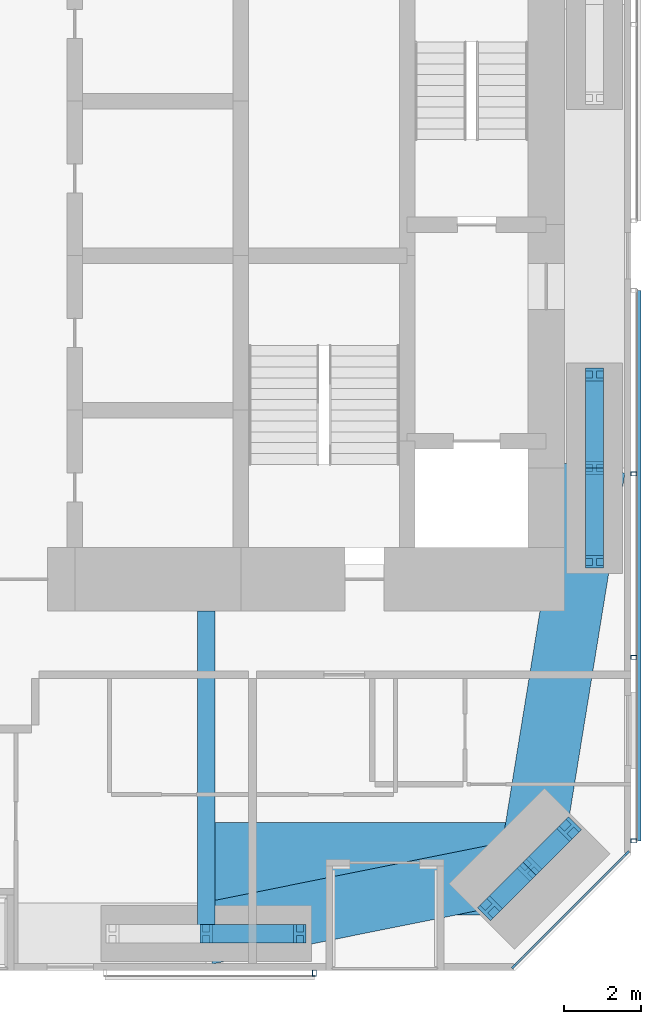
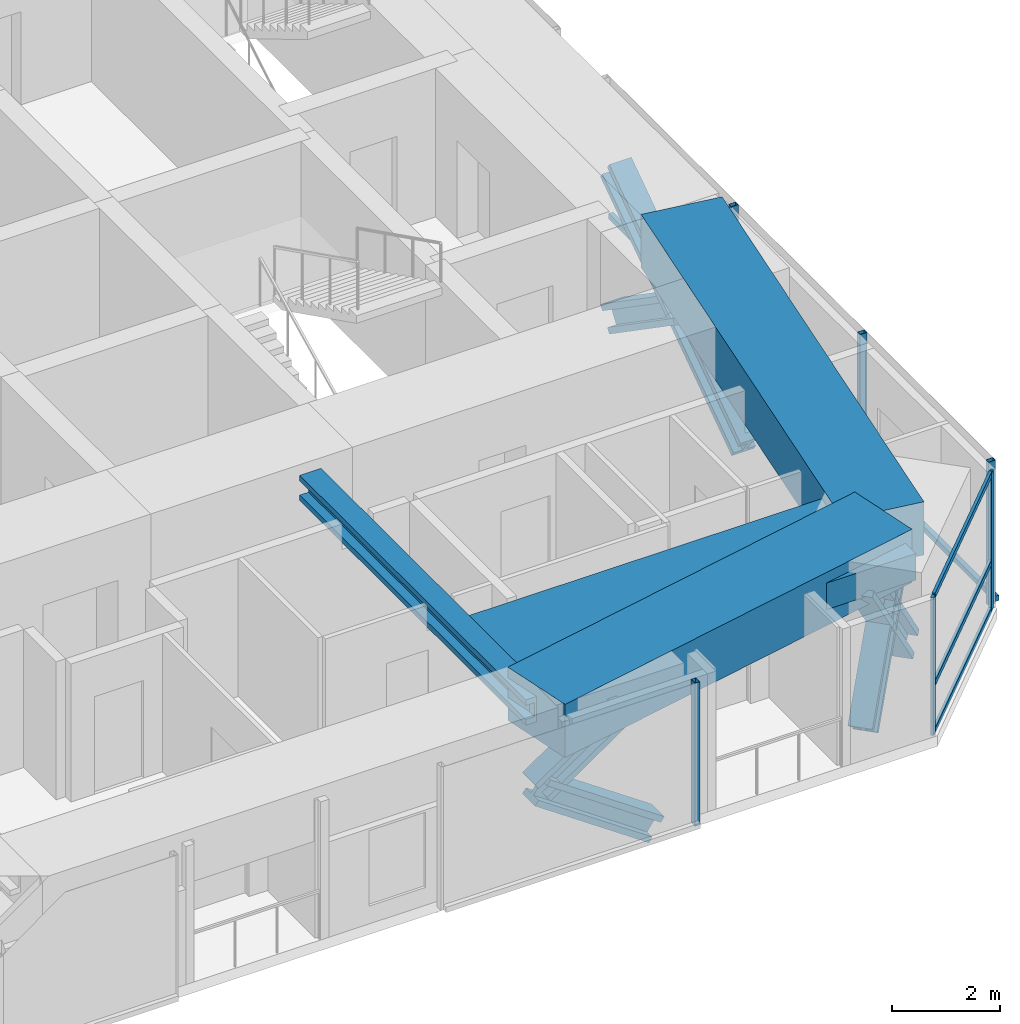
# One storey, part 8 of 23: 20 members, 4 beams, 3 elements without a shape of their own.
"""IFC4 building model written with IfcOpenShell, lengths in metres."""

from ifc_helpers import new_model, si_unit, direction, frame, origin, origin_2d, place, context, subcontext, project, spatial, rectangle, hollow_rectangle, i_section, extrude, material, material_profile, profile_set, type_object, element, aggregate, save


model = new_model("IFC4")

# Units and contexts
model_context = context("Model", 3, precision=1e-05, world=origin(), true_north=direction((0.0, 1.0)))
body_context = subcontext(model_context, "Body", "Model", "MODEL_VIEW")
ifc_project = project(units=[si_unit("LENGTHUNIT", "METRE"), si_unit("AREAUNIT", "SQUARE_METRE"), si_unit("VOLUMEUNIT", "CUBIC_METRE"), si_unit("PLANEANGLEUNIT", "RADIAN"), si_unit("MASSUNIT", "GRAM", prefix="KILO")], contexts=[model_context])

# Site, building, storey
site_placement = place(None, origin())
site = spatial("IfcSite", under=ifc_project, at=site_placement, CompositionType="ELEMENT")
building_placement = place(site_placement, origin())
building = spatial("IfcBuilding", under=site, at=building_placement, Name="Jalousie Tower", CompositionType="ELEMENT")
storey_placement = place(building_placement, frame((0.0, 0.0, 41.10009765625)))
storey = spatial("IfcBuildingStorey", under=building, at=storey_placement, Name="L10", CompositionType="ELEMENT", Elevation=41.10009765625)

# Curtain wall, members
ifc_material_1 = material(Name="Aluminium curtain wall", Category="aluminium")
curtain_wall_type_1 = type_object("IfcCurtainWallType", Name="CORNER WINDOW WALL", PredefinedType="USERDEFINED", material=ifc_material_1)
curtain_wall_1_placement = place(storey_placement, origin())
curtain_wall_1 = element("IfcCurtainWall", 1, at=curtain_wall_1_placement, inside=storey, type_object=curtain_wall_type_1, Name="Corner Window Wall L10 2", ObjectType="CORNER WINDOW WALL", PredefinedType="USERDEFINED")
ifc_material_2 = material(Name="Aluminium mullion", Category="aluminium")
ifc_material_profile_1 = material_profile(ifc_material_2, rectangle(XDim=0.06005859375, YDim=0.14990234375, at=origin_2d()), Name="MULLION 60x150")
ifc_profile_set_1 = profile_set([ifc_material_profile_1], Name="Aluminium mullion")
member_type_1 = type_object("IfcMemberType", Name="CORNER WINDOW WALL MULLION", PredefinedType="MULLION", material=ifc_profile_set_1)
member_1_placement = place(storey_placement, frame((42.969970703125, 0.108642578125, 0.0), z_axis=(0.0, 0.0, 1.0), x_axis=(-0.707106781187, 0.707106781187, 0.0)))
member_1 = element("IfcMember", 2, at=member_1_placement, type_object=member_type_1, Name="CW-C mullion 1", PredefinedType="MULLION", context=body_context, shape_type="SweptSolid", body=[
    extrude(rectangle(XDim=0.06005859375, YDim=0.14990234375, at=origin_2d()), origin(), (0.0, 0.0, 1.0), 3.10986328125),
])
member_2_placement = place(storey_placement, frame((45.891357421875, 3.030029296875, 0.0), z_axis=(0.0, 0.0, 1.0), x_axis=(-0.707106781187, 0.707106781187, 0.0)))
member_2 = element("IfcMember", 3, at=member_2_placement, type_object=member_type_1, Name="CW-C mullion 2", PredefinedType="MULLION", context=body_context, shape_type="SweptSolid", body=[
    extrude(rectangle(XDim=0.06005859375, YDim=0.14990234375, at=origin_2d()), origin(), (0.0, 0.0, 1.0), 3.10986328125),
])
ifc_material_3 = material(Name="Aluminium transom", Category="aluminium")
ifc_material_profile_2 = material_profile(ifc_material_3, rectangle(XDim=0.06005859375, YDim=0.1201171875, at=origin_2d()), Name="TRANSOM 60x120")
ifc_profile_set_2 = profile_set([ifc_material_profile_2], Name="Aluminium transom")
member_type_2 = type_object("IfcMemberType", Name="CORNER WINDOW WALL TRANSOM", PredefinedType="USERDEFINED", material=ifc_profile_set_2)
member_3_placement = place(storey_placement, frame((42.9912109375, 0.1298828125, 0.02978515625), z_axis=(0.707106781187, 0.707106781187, 0.0), x_axis=(-0.707106781187, 0.707106781187, 0.0)))
member_3 = element("IfcMember", 4, at=member_3_placement, type_object=member_type_2, Name="CW-C transom 1.1", ObjectType="TRANSOM", PredefinedType="USERDEFINED", context=body_context, shape_type="SweptSolid", body=[
    extrude(rectangle(XDim=0.06005859375, YDim=0.1201171875, at=origin_2d()), origin(), (0.0, 0.0, 1.0), 4.0712890625),
])
member_4_placement = place(storey_placement, frame((42.9912109375, 0.1298828125, 1.099853515625), z_axis=(0.707106781187, 0.707106781187, 0.0), x_axis=(-0.707106781187, 0.707106781187, 0.0)))
member_4 = element("IfcMember", 5, at=member_4_placement, type_object=member_type_2, Name="CW-C transom 1.2", ObjectType="TRANSOM", PredefinedType="USERDEFINED", context=body_context, shape_type="SweptSolid", body=[
    extrude(rectangle(XDim=0.06005859375, YDim=0.1201171875, at=origin_2d()), origin(), (0.0, 0.0, 1.0), 4.0712890625),
])
member_5_placement = place(storey_placement, frame((42.9912109375, 0.1298828125, 3.079833984375), z_axis=(0.707106781187, 0.707106781187, 0.0), x_axis=(-0.707106781187, 0.707106781187, 0.0)))
member_5 = element("IfcMember", 6, at=member_5_placement, type_object=member_type_2, Name="CW-C transom 1.3", ObjectType="TRANSOM", PredefinedType="USERDEFINED", context=body_context, shape_type="SweptSolid", body=[
    extrude(rectangle(XDim=0.06005859375, YDim=0.1201171875, at=origin_2d()), origin(), (0.0, 0.0, 1.0), 4.0712890625),
])
aggregate(curtain_wall_1, [member_1, member_2, member_3, member_4, member_5])

# Beam
ifc_material_4 = material(Name="Steel ASTM A992 Grade 50", Category="steel")
ifc_material_profile_3 = material_profile(ifc_material_4, i_section(OverallWidth=0.45458984375, OverallDepth=0.569091796875, WebThickness=0.077880859375, FlangeThickness=0.124755859375, at=origin_2d()), Name="W14X730")
ifc_profile_set_3 = profile_set([ifc_material_profile_3], Name="Steel ASTM A992 Grade 50")
beam_type_1 = type_object("IfcBeamType", Name="LEAN COLLECTOR W14X730", PredefinedType="BEAM", material=ifc_profile_set_3)
beam_1_placement = place(storey_placement, frame((35.0, 0.949951171875, 2.825439453125), z_axis=(0.0, 1.0, 0.0), x_axis=(-1.0, 0.0, 0.0)))
element("IfcBeam", 7, at=beam_1_placement, inside=storey, type_object=beam_type_1, Name="Lean collector under L11", PredefinedType="BEAM", context=body_context, shape_type="SweptSolid", body=[
    extrude(i_section(OverallWidth=0.45458984375, OverallDepth=0.569091796875, WebThickness=0.077880859375, FlangeThickness=0.124755859375, at=origin_2d()), origin(), (0.0, 0.0, 1.0), 8.35009765625),
])

# Members
ifc_material_5 = material(Name="Steel ASTM A992 Grade 50", Category="steel")
ifc_material_profile_4 = material_profile(ifc_material_5, i_section(OverallWidth=0.472412109375, OverallDepth=0.5791015625, WebThickness=0.094970703125, FlangeThickness=0.1298828125, at=origin_2d()), Name="W14X808")
ifc_profile_set_4 = profile_set([ifc_material_profile_4], Name="Steel ASTM A992 Grade 50")
member_type_3 = type_object("IfcMemberType", Name="PERIMETER BRACE W14X808", PredefinedType="BRACE", material=ifc_profile_set_4)
for number, where, z_axis, x_axis, name in (
    (8, (35.0, 0.949951171875, 1.074951171875), (0.822800062329, 0.0, 0.568330940062), (0.0, 1.0, 0.0), "Perimeter brace 04 L10 part 2"),
    (9, (37.425048828125, 0.949951171875, -0.60009765625), (-0.822800062329, 0.0, 0.568330940062), (0.0, -1.0, 0.0), "Perimeter brace 04 L10 part 3"),
):
    element("IfcMember", number, at=place(storey_placement, frame(where, z_axis=z_axis, x_axis=x_axis)), inside=storey, type_object=member_type_3, Name=name, PredefinedType="BRACE", context=body_context, shape_type="SweptSolid", body=[
        extrude(i_section(OverallWidth=0.472412109375, OverallDepth=0.5791015625, WebThickness=0.094970703125, FlangeThickness=0.1298828125, at=origin_2d()), origin(), (0.0, 0.0, 1.0), 2.947265625),
    ])
for number, where, z_axis, x_axis, name in (
    (10, (42.34326171875, 1.606201171875, -0.60009765625), (0.462839993852, 0.462729793854, 0.756082189957), (-0.707022586774, 0.707190965575, 0.0), "Perimeter brace 05 L10 part 1"),
    (11, (43.36865234375, 2.63134765625, 1.074951171875), (0.462729793854, 0.462839993852, 0.756082189957), (-0.707190965575, 0.707022586774, 0.0), "Perimeter brace 05 L10 part 2"),
    (12, (44.393798828125, 3.65673828125, -0.60009765625), (-0.462729793854, -0.462839993852, 0.756082189957), (0.707190965575, -0.707022586774, 0.0), "Perimeter brace 05 L10 part 3"),
    (13, (43.36865234375, 2.63134765625, 1.074951171875), (-0.462839993852, -0.462729793854, 0.756082189957), (0.707022586774, -0.707190965575, 0.0), "Perimeter brace 05 L10 part 4"),
):
    element("IfcMember", number, at=place(storey_placement, frame(where, z_axis=z_axis, x_axis=x_axis)), inside=storey, type_object=member_type_3, Name=name, PredefinedType="BRACE", context=body_context, shape_type="SweptSolid", body=[
        extrude(i_section(OverallWidth=0.472412109375, OverallDepth=0.5791015625, WebThickness=0.094970703125, FlangeThickness=0.1298828125, at=origin_2d()), origin(), (0.0, 0.0, 1.0), 2.21533203125),
    ])
for number, where, z_axis, x_axis, name in (
    (14, (45.050048828125, 10.574951171875, -0.60009765625), (0.0, 0.822800062329, 0.568330940062), (-1.0, 0.0, 0.0), "Perimeter brace 06 L10 part 1"),
    (15, (45.050048828125, 13.0, 1.074951171875), (0.0, 0.822800062329, 0.568330940062), (-1.0, 0.0, 0.0), "Perimeter brace 06 L10 part 2"),
    (16, (45.050048828125, 15.425048828125, -0.60009765625), (0.0, -0.822800062329, 0.568330940062), (1.0, 0.0, 0.0), "Perimeter brace 06 L10 part 3"),
    (17, (45.050048828125, 13.0, 1.074951171875), (0.0, -0.822800062329, 0.568330940062), (1.0, 0.0, 0.0), "Perimeter brace 06 L10 part 4"),
):
    element("IfcMember", number, at=place(storey_placement, frame(where, z_axis=z_axis, x_axis=x_axis)), inside=storey, type_object=member_type_3, Name=name, PredefinedType="BRACE", context=body_context, shape_type="SweptSolid", body=[
        extrude(i_section(OverallWidth=0.472412109375, OverallDepth=0.5791015625, WebThickness=0.094970703125, FlangeThickness=0.1298828125, at=origin_2d()), origin(), (0.0, 0.0, 1.0), 2.947265625),
    ])

# Beams
ifc_material_6 = material(Name="Concrete f'c 40 MPa", Category="concrete")
ifc_material_profile_5 = material_profile(ifc_material_6, rectangle(XDim=1.60009765625, YDim=1.199951171875, at=origin_2d()), Name="RC 1600x1200")
ifc_profile_set_5 = profile_set([ifc_material_profile_5], Name="Concrete f'c 40 MPa")
beam_type_2 = type_object("IfcBeamType", Name="RC BEAM 1600x1200", PredefinedType="BEAM", material=ifc_profile_set_5)
beam_2_placement = place(storey_placement, frame((35.0, 0.949951171875, 2.75), z_axis=(0.980407585444, 0.196979609107, 0.0), x_axis=(-0.196979609107, 0.980407585444, 0.0)))
element("IfcBeam", 18, at=beam_2_placement, inside=storey, type_object=beam_type_2, Name="Edge band beam 04-05 under L11", PredefinedType="BEAM", context=body_context, shape_type="SweptSolid", body=[
    extrude(rectangle(XDim=1.60009765625, YDim=1.199951171875, at=origin_2d()), origin(), (0.0, 0.0, 1.0), 8.535888671875),
])
beam_3_placement = place(storey_placement, frame((43.36865234375, 2.63134765625, 2.75), z_axis=(0.160070546476, 0.987105577003, 0.0), x_axis=(-0.987105577003, 0.160070546476, 0.0)))
element("IfcBeam", 19, at=beam_3_placement, inside=storey, type_object=beam_type_2, Name="Edge band beam 05-06 under L11", PredefinedType="BEAM", context=body_context, shape_type="SweptSolid", body=[
    extrude(rectangle(XDim=1.60009765625, YDim=1.199951171875, at=origin_2d()), origin(), (0.0, 0.0, 1.0), 10.504150390625),
])
ifc_material_7 = material(Name="Concrete f'c 40 MPa", Category="concrete")
ifc_material_profile_6 = material_profile(ifc_material_7, rectangle(XDim=2.39990234375, YDim=0.60009765625, at=origin_2d()), Name="RC 2400x600")
ifc_profile_set_6 = profile_set([ifc_material_profile_6], Name="Concrete f'c 40 MPa")
beam_type_3 = type_object("IfcBeamType", Name="RC BEAM 2400x600", PredefinedType="BEAM", material=ifc_profile_set_6)
beam_4_placement = place(storey_placement, frame((43.36865234375, 2.63134765625, 2.809814453125), z_axis=(-1.0, 0.0, 0.0), x_axis=(0.0, -1.0, 0.0)))
element("IfcBeam", 20, at=beam_4_placement, inside=storey, type_object=beam_type_3, Name="Floor band beam under L11", PredefinedType="BEAM", context=body_context, shape_type="SweptSolid", body=[
    extrude(rectangle(XDim=2.39990234375, YDim=0.60009765625, at=origin_2d()), origin(), (0.0, 0.0, 1.0), 8.36865234375),
])

# Curtain wall, member
ifc_material_8 = material(Name="Perforated aluminium sheet", Category="aluminium")
curtain_wall_type_2 = type_object("IfcCurtainWallType", Name="SOLAR SCREEN SS-1", PredefinedType="USERDEFINED", material=ifc_material_8)
curtain_wall_2_placement = place(storey_placement, origin())
curtain_wall_2 = element("IfcCurtainWall", 21, at=curtain_wall_2_placement, inside=storey, type_object=curtain_wall_type_2, Name="Solar screen L10", ObjectType="SOLAR SCREEN SS-1", PredefinedType="USERDEFINED")
ifc_material_9 = material(Name="Steel ASTM A500 Grade C", Category="steel")
ifc_material_profile_7 = material_profile(ifc_material_9, hollow_rectangle(XDim=0.1015625, YDim=0.15234375, WallThickness=0.00634765625, at=origin_2d()), Name="HSS6X4X1/4")
ifc_profile_set_7 = profile_set([ifc_material_profile_7], Name="Steel ASTM A500 Grade C")
member_type_4 = type_object("IfcMemberType", Name="SOLAR SCREEN SS-1 MULLION", PredefinedType="MULLION", material=ifc_profile_set_7)
member_6_placement = place(storey_placement, frame((37.800048828125, -0.0712890625, -0.1201171875), z_axis=(0.0, 0.0, 1.0), x_axis=(1.0, 0.0, 0.0)))
member_6 = element("IfcMember", 22, at=member_6_placement, type_object=member_type_4, Name="SS1 post 2", PredefinedType="MULLION", context=body_context, shape_type="SweptSolid", body=[
    extrude(hollow_rectangle(XDim=0.1015625, YDim=0.15234375, WallThickness=0.00634765625, at=origin_2d()), origin(), (0.0, 0.0, 1.0), 3.22998046875),
])
aggregate(curtain_wall_2, [member_6])

# Curtain wall, members
curtain_wall_3_placement = place(storey_placement, origin())
curtain_wall_3 = element("IfcCurtainWall", 23, at=curtain_wall_3_placement, inside=storey, type_object=curtain_wall_type_2, Name="Solar screen L10", ObjectType="SOLAR SCREEN SS-1", PredefinedType="USERDEFINED")
member_7_placement = place(storey_placement, frame((46.0712890625, 3.351318359375, -0.1201171875), z_axis=(0.0, 0.0, 1.0), x_axis=(0.0, 1.0, 0.0)))
member_7 = element("IfcMember", 24, at=member_7_placement, type_object=member_type_4, Name="SS1 post 1", PredefinedType="MULLION", context=body_context, shape_type="SweptSolid", body=[
    extrude(hollow_rectangle(XDim=0.1015625, YDim=0.15234375, WallThickness=0.00634765625, at=origin_2d()), origin(), (0.0, 0.0, 1.0), 3.22998046875),
])
member_8_placement = place(storey_placement, frame((46.0712890625, 8.100830078125, -0.1201171875), z_axis=(0.0, 0.0, 1.0), x_axis=(0.0, 1.0, 0.0)))
member_8 = element("IfcMember", 25, at=member_8_placement, type_object=member_type_4, Name="SS1 post 2", PredefinedType="MULLION", context=body_context, shape_type="SweptSolid", body=[
    extrude(hollow_rectangle(XDim=0.1015625, YDim=0.15234375, WallThickness=0.00634765625, at=origin_2d()), origin(), (0.0, 0.0, 1.0), 3.22998046875),
])
member_9_placement = place(storey_placement, frame((46.0712890625, 12.850341796875, -0.1201171875), z_axis=(0.0, 0.0, 1.0), x_axis=(0.0, 1.0, 0.0)))
member_9 = element("IfcMember", 26, at=member_9_placement, type_object=member_type_4, Name="SS1 post 3", PredefinedType="MULLION", context=body_context, shape_type="SweptSolid", body=[
    extrude(hollow_rectangle(XDim=0.1015625, YDim=0.15234375, WallThickness=0.00634765625, at=origin_2d()), origin(), (0.0, 0.0, 1.0), 3.22998046875),
])
ifc_material_10 = material(Name="Extruded aluminium screen rail", Category="aluminium")
ifc_material_profile_8 = material_profile(ifc_material_10, rectangle(XDim=0.1015625, YDim=0.1201171875, at=origin_2d()), Name="RAIL 102x120")
ifc_profile_set_8 = profile_set([ifc_material_profile_8], Name="Extruded aluminium screen rail")
member_type_5 = type_object("IfcMemberType", Name="SOLAR SCREEN SS-1 TRANSOM", PredefinedType="USERDEFINED", material=ifc_profile_set_8)
member_10_placement = place(storey_placement, frame((46.1982421875, 3.351318359375, -0.06005859375), z_axis=(0.0, 1.0, 0.0), x_axis=(-1.0, 0.0, 0.0)))
member_10 = element("IfcMember", 27, at=member_10_placement, type_object=member_type_5, Name="SS1 rail", ObjectType="TRANSOM", PredefinedType="USERDEFINED", context=body_context, shape_type="SweptSolid", body=[
    extrude(rectangle(XDim=0.1015625, YDim=0.1201171875, at=origin_2d()), origin(), (0.0, 0.0, 1.0), 14.248779296875),
])
aggregate(curtain_wall_3, [member_7, member_8, member_9, member_10])

save(model, "model.ifc")
